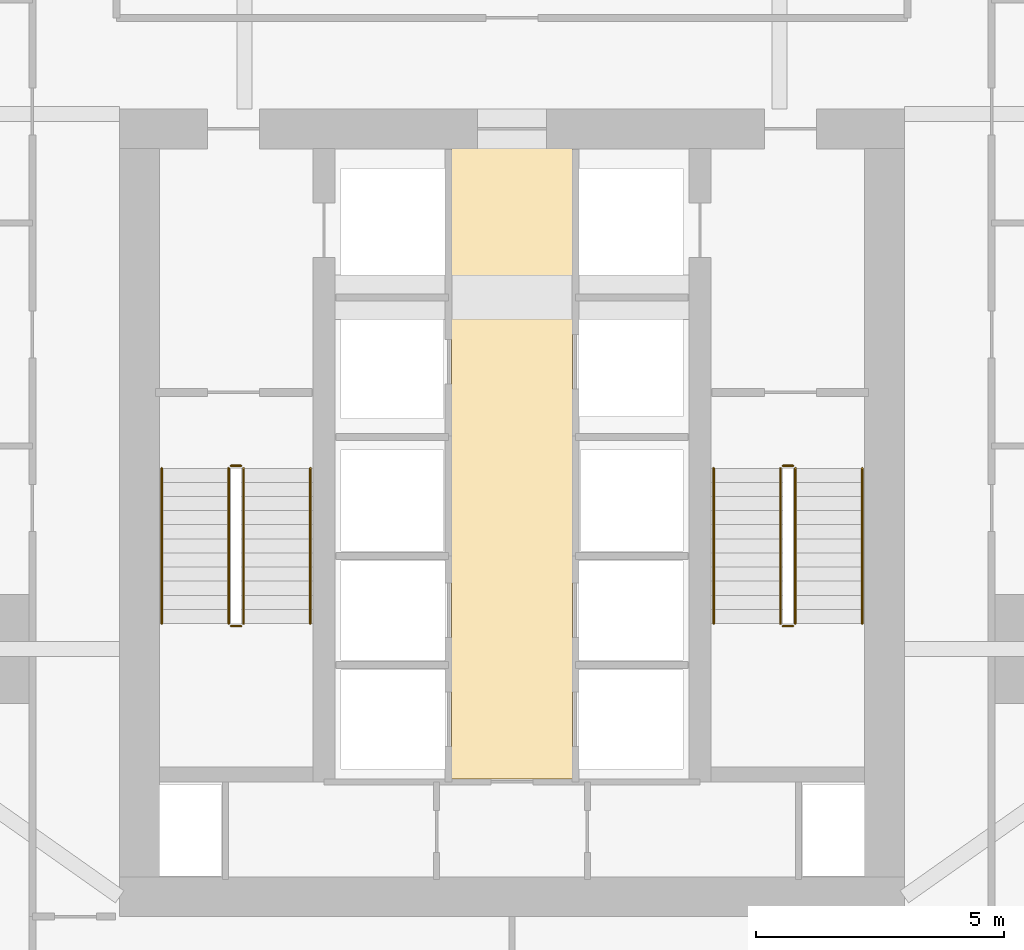
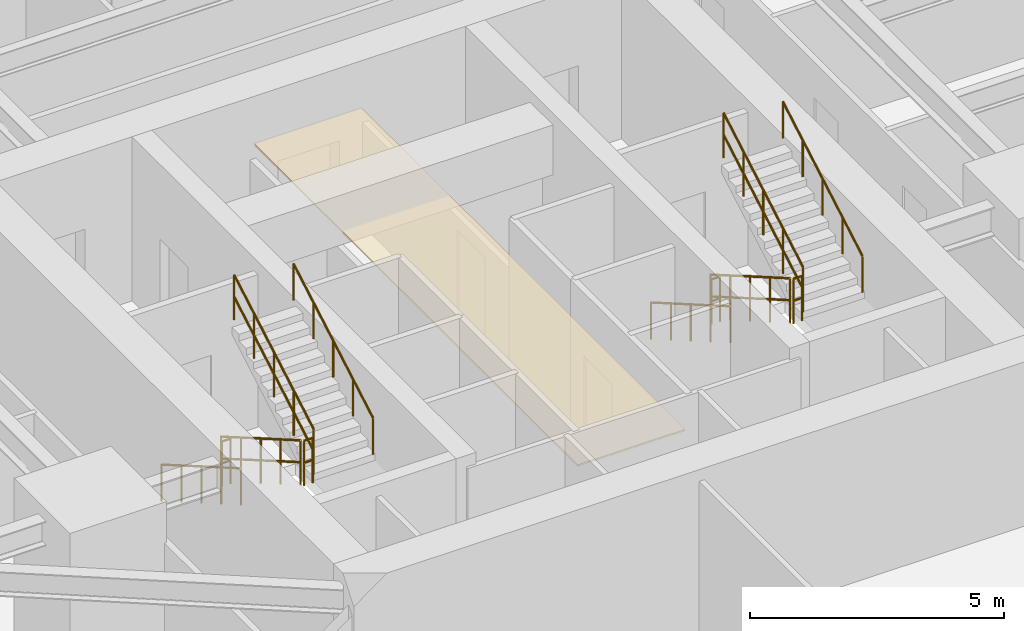
# One storey, part 28 of 29: 12 railings, 1 covering.
"""IFC4 building model written with IfcOpenShell, lengths in metres."""

from ifc_helpers import new_model, si_unit, direction, frame, origin, origin_2d, place, context, subcontext, project, spatial, polyline, circle, outline, extrude, material, layer, layer_set, type_object, element, save


model = new_model("IFC4")

# Units and contexts
model_context = context("Model", 3, precision=1e-05, world=origin(), true_north=direction((0.0, 1.0)))
body_context = subcontext(model_context, "Body", "Model", "MODEL_VIEW")
ifc_project = project(units=[si_unit("LENGTHUNIT", "METRE"), si_unit("AREAUNIT", "SQUARE_METRE"), si_unit("VOLUMEUNIT", "CUBIC_METRE"), si_unit("PLANEANGLEUNIT", "RADIAN"), si_unit("MASSUNIT", "GRAM", prefix="KILO")], contexts=[model_context])

# Site, building, storey
site_placement = place(None, origin())
site = spatial("IfcSite", under=ifc_project, at=site_placement, CompositionType="ELEMENT")
building_placement = place(site_placement, origin())
building = spatial("IfcBuilding", under=site, at=building_placement, Name="Krantzveldt Concourse Tower", CompositionType="ELEMENT")
storey_placement = place(building_placement, frame((0.0, 0.0, 72.39990234375)))
storey = spatial("IfcBuildingStorey", under=building, at=storey_placement, Name="L17", CompositionType="ELEMENT", Elevation=72.39990234375)

# Covering
ifc_material_1 = material(Name="Perforated acoustic mineral-fibre ceiling tile", Category="ceiling")
ifc_layer_1 = layer(ifc_material_1, 0.0400390625, Name="Perforated acoustic mineral-fibre ceiling tile", Category="ceiling")
ifc_layer_set_1 = layer_set([ifc_layer_1], Name="Perforated acoustic mineral-fibre ceiling tile (COV-CEIL-ACOUSTIC)")
covering_type = type_object("IfcCoveringType", Name="COV-CEIL-ACOUSTIC", PredefinedType="CEILING", material=ifc_layer_set_1)
covering_placement = place(storey_placement, frame((0.0, 0.0, 2.75)))
element("IfcCovering", 1, at=covering_placement, inside=storey, type_object=covering_type, Name="CLG-L17-LLB", PredefinedType="CEILING", context=body_context, shape_type="SweptSolid", body=[
    extrude(outline(polyline([(37.22509765625, 13.27490234375), (34.77490234375, 13.27490234375), (34.77490234375, 26.044921875), (37.22509765625, 26.044921875), (37.22509765625, 13.27490234375)])), origin(), (0.0, 0.0, 1.0), 0.0400390625),
])

# Railings
ifc_material_2 = material(Name="Stainless steel 316L", Category="steel")
ifc_layer_2 = layer(ifc_material_2, 0.06005859375, Name="Stainless steel 316L", Category="steel")
ifc_layer_set_2 = layer_set([ifc_layer_2], Name="Stainless steel 316L (RL-GUARD-1120)")
railing_type_1 = type_object("IfcRailingType", Name="RL-GUARD-1120", PredefinedType="GUARDRAIL", material=ifc_layer_set_2)
railing_1_placement = place(storey_placement, frame((30.280029296875, 19.550048828125, 0.164794921875)))
element("IfcRailing", 2, at=railing_1_placement, inside=storey, type_object=railing_type_1, Name="L17 ST-1 stair guard 1", PredefinedType="GUARDRAIL", context=body_context, shape_type="SweptSolid", body=[
    extrude(circle(Radius=0.02392578125, at=origin_2d()), frame((0.0, 0.0, 1.076171875), z_axis=(0.0, -0.865989039225, 0.500062979975), x_axis=(1.0, 0.0, 0.0)), (0.0, 0.0, 1.0), 3.6201171875),
    extrude(circle(Radius=0.02392578125, at=origin_2d()), frame((0.0, 0.0, 0.550048828125), z_axis=(0.0, -0.865989039225, 0.500062979975), x_axis=(1.0, 0.0, 0.0)), (0.0, 0.0, 1.0), 3.6201171875),
    extrude(circle(Radius=0.02099609375, at=origin_2d()), origin(), (0.0, 0.0, 1.0), 1.052001953125),
    extrude(circle(Radius=0.02099609375, at=origin_2d()), frame((0.0, -0.78369140625, 0.45263671875)), (0.0, 0.0, 1.0), 1.052001953125),
    extrude(circle(Radius=0.02099609375, at=origin_2d()), frame((0.0, -1.5673828125, 0.9052734375)), (0.0, 0.0, 1.0), 1.052001953125),
    extrude(circle(Radius=0.02099609375, at=origin_2d()), frame((0.0, -2.351318359375, 1.357666015625)), (0.0, 0.0, 1.0), 1.052001953125),
    extrude(circle(Radius=0.02099609375, at=origin_2d()), frame((0.0, -3.135009765625, 1.810302734375)), (0.0, 0.0, 1.0), 1.052001953125),
])
railing_2_placement = place(storey_placement, frame((30.330078125, 16.364990234375, 1.97509765625)))
element("IfcRailing", 3, at=railing_2_placement, inside=storey, type_object=railing_type_1, Name="L17 ST-1 stair guard 2", PredefinedType="GUARDRAIL", context=body_context, shape_type="SweptSolid", body=[
    extrude(circle(Radius=0.02392578125, at=origin_2d()), frame((0.0, 0.0, 1.076171875), z_axis=(1.0, 0.0, 0.0), x_axis=(0.0, 1.0, 0.0)), (0.0, 0.0, 1.0), 0.199951171875),
    extrude(circle(Radius=0.02392578125, at=origin_2d()), frame((0.0, 0.0, 0.550048828125), z_axis=(1.0, 0.0, 0.0), x_axis=(0.0, 1.0, 0.0)), (0.0, 0.0, 1.0), 0.199951171875),
    extrude(circle(Radius=0.02099609375, at=origin_2d()), origin(), (0.0, 0.0, 1.0), 1.052001953125),
    extrude(circle(Radius=0.02099609375, at=origin_2d()), frame((0.199951171875, 0.0, 0.0)), (0.0, 0.0, 1.0), 1.052001953125),
])
railing_3_placement = place(storey_placement, frame((30.580078125, 16.4150390625, 2.1396484375)))
element("IfcRailing", 4, at=railing_3_placement, inside=storey, type_object=railing_type_1, Name="L17 ST-1 stair guard 3", PredefinedType="GUARDRAIL", context=body_context, shape_type="SweptSolid", body=[
    extrude(circle(Radius=0.02392578125, at=origin_2d()), frame((0.0, 0.0, 1.076171875), z_axis=(0.0, 0.865959834175, 0.500113552702), x_axis=(-1.0, 0.0, 0.0)), (0.0, 0.0, 1.0), 3.620361328125),
    extrude(circle(Radius=0.02392578125, at=origin_2d()), frame((0.0, 0.0, 0.550048828125), z_axis=(0.0, 0.865959834175, 0.500113552702), x_axis=(-1.0, 0.0, 0.0)), (0.0, 0.0, 1.0), 3.620361328125),
    extrude(circle(Radius=0.02099609375, at=origin_2d()), origin(), (0.0, 0.0, 1.0), 1.052001953125),
    extrude(circle(Radius=0.02099609375, at=origin_2d()), frame((0.0, 0.78369140625, 0.45263671875)), (0.0, 0.0, 1.0), 1.052001953125),
    extrude(circle(Radius=0.02099609375, at=origin_2d()), frame((0.0, 1.5673828125, 0.9052734375)), (0.0, 0.0, 1.0), 1.052001953125),
    extrude(circle(Radius=0.02099609375, at=origin_2d()), frame((0.0, 2.351318359375, 1.35791015625)), (0.0, 0.0, 1.0), 1.052001953125),
    extrude(circle(Radius=0.02099609375, at=origin_2d()), frame((0.0, 3.135009765625, 1.810546875)), (0.0, 0.0, 1.0), 1.052001953125),
])
railing_4_placement = place(storey_placement, frame((30.330078125, 19.60009765625, 0.0)))
element("IfcRailing", 5, at=railing_4_placement, inside=storey, type_object=railing_type_1, Name="L17 ST-1 stair guard 4", PredefinedType="GUARDRAIL", context=body_context, shape_type="SweptSolid", body=[
    extrude(circle(Radius=0.02392578125, at=origin_2d()), frame((0.0, 0.0, 1.076171875), z_axis=(1.0, 0.0, 0.0), x_axis=(0.0, 1.0, 0.0)), (0.0, 0.0, 1.0), 0.199951171875),
    extrude(circle(Radius=0.02392578125, at=origin_2d()), frame((0.0, 0.0, 0.550048828125), z_axis=(1.0, 0.0, 0.0), x_axis=(0.0, 1.0, 0.0)), (0.0, 0.0, 1.0), 0.199951171875),
    extrude(circle(Radius=0.02099609375, at=origin_2d()), origin(), (0.0, 0.0, 1.0), 1.052001953125),
    extrude(circle(Radius=0.02099609375, at=origin_2d()), frame((0.199951171875, 0.0, 0.0)), (0.0, 0.0, 1.0), 1.052001953125),
])
railing_5_placement = place(storey_placement, frame((41.419921875, 19.550048828125, 0.164794921875)))
element("IfcRailing", 6, at=railing_5_placement, inside=storey, type_object=railing_type_1, Name="L17 ST-2 stair guard 1", PredefinedType="GUARDRAIL", context=body_context, shape_type="SweptSolid", body=[
    extrude(circle(Radius=0.02392578125, at=origin_2d()), frame((0.0, 0.0, 1.076171875), z_axis=(0.0, -0.865989039225, 0.500062979975), x_axis=(1.0, 0.0, 0.0)), (0.0, 0.0, 1.0), 3.6201171875),
    extrude(circle(Radius=0.02392578125, at=origin_2d()), frame((0.0, 0.0, 0.550048828125), z_axis=(0.0, -0.865989039225, 0.500062979975), x_axis=(1.0, 0.0, 0.0)), (0.0, 0.0, 1.0), 3.6201171875),
    extrude(circle(Radius=0.02099609375, at=origin_2d()), origin(), (0.0, 0.0, 1.0), 1.052001953125),
    extrude(circle(Radius=0.02099609375, at=origin_2d()), frame((0.0, -0.78369140625, 0.45263671875)), (0.0, 0.0, 1.0), 1.052001953125),
    extrude(circle(Radius=0.02099609375, at=origin_2d()), frame((0.0, -1.5673828125, 0.9052734375)), (0.0, 0.0, 1.0), 1.052001953125),
    extrude(circle(Radius=0.02099609375, at=origin_2d()), frame((0.0, -2.351318359375, 1.357666015625)), (0.0, 0.0, 1.0), 1.052001953125),
    extrude(circle(Radius=0.02099609375, at=origin_2d()), frame((0.0, -3.135009765625, 1.810302734375)), (0.0, 0.0, 1.0), 1.052001953125),
])
railing_6_placement = place(storey_placement, frame((41.469970703125, 16.364990234375, 1.97509765625)))
element("IfcRailing", 7, at=railing_6_placement, inside=storey, type_object=railing_type_1, Name="L17 ST-2 stair guard 2", PredefinedType="GUARDRAIL", context=body_context, shape_type="SweptSolid", body=[
    extrude(circle(Radius=0.02392578125, at=origin_2d()), frame((0.0, 0.0, 1.076171875), z_axis=(1.0, 0.0, 0.0), x_axis=(0.0, 1.0, 0.0)), (0.0, 0.0, 1.0), 0.199951171875),
    extrude(circle(Radius=0.02392578125, at=origin_2d()), frame((0.0, 0.0, 0.550048828125), z_axis=(1.0, 0.0, 0.0), x_axis=(0.0, 1.0, 0.0)), (0.0, 0.0, 1.0), 0.199951171875),
    extrude(circle(Radius=0.02099609375, at=origin_2d()), origin(), (0.0, 0.0, 1.0), 1.052001953125),
    extrude(circle(Radius=0.02099609375, at=origin_2d()), frame((0.199951171875, 0.0, 0.0)), (0.0, 0.0, 1.0), 1.052001953125),
])
railing_7_placement = place(storey_placement, frame((41.719970703125, 16.4150390625, 2.1396484375)))
element("IfcRailing", 8, at=railing_7_placement, inside=storey, type_object=railing_type_1, Name="L17 ST-2 stair guard 3", PredefinedType="GUARDRAIL", context=body_context, shape_type="SweptSolid", body=[
    extrude(circle(Radius=0.02392578125, at=origin_2d()), frame((0.0, 0.0, 1.076171875), z_axis=(0.0, 0.865959834175, 0.500113552702), x_axis=(-1.0, 0.0, 0.0)), (0.0, 0.0, 1.0), 3.620361328125),
    extrude(circle(Radius=0.02392578125, at=origin_2d()), frame((0.0, 0.0, 0.550048828125), z_axis=(0.0, 0.865959834175, 0.500113552702), x_axis=(-1.0, 0.0, 0.0)), (0.0, 0.0, 1.0), 3.620361328125),
    extrude(circle(Radius=0.02099609375, at=origin_2d()), origin(), (0.0, 0.0, 1.0), 1.052001953125),
    extrude(circle(Radius=0.02099609375, at=origin_2d()), frame((0.0, 0.78369140625, 0.45263671875)), (0.0, 0.0, 1.0), 1.052001953125),
    extrude(circle(Radius=0.02099609375, at=origin_2d()), frame((0.0, 1.5673828125, 0.9052734375)), (0.0, 0.0, 1.0), 1.052001953125),
    extrude(circle(Radius=0.02099609375, at=origin_2d()), frame((0.0, 2.351318359375, 1.35791015625)), (0.0, 0.0, 1.0), 1.052001953125),
    extrude(circle(Radius=0.02099609375, at=origin_2d()), frame((0.0, 3.135009765625, 1.810546875)), (0.0, 0.0, 1.0), 1.052001953125),
])
railing_8_placement = place(storey_placement, frame((41.469970703125, 19.60009765625, 0.0)))
element("IfcRailing", 9, at=railing_8_placement, inside=storey, type_object=railing_type_1, Name="L17 ST-2 stair guard 4", PredefinedType="GUARDRAIL", context=body_context, shape_type="SweptSolid", body=[
    extrude(circle(Radius=0.02392578125, at=origin_2d()), frame((0.0, 0.0, 1.076171875), z_axis=(1.0, 0.0, 0.0), x_axis=(0.0, 1.0, 0.0)), (0.0, 0.0, 1.0), 0.199951171875),
    extrude(circle(Radius=0.02392578125, at=origin_2d()), frame((0.0, 0.0, 0.550048828125), z_axis=(1.0, 0.0, 0.0), x_axis=(0.0, 1.0, 0.0)), (0.0, 0.0, 1.0), 0.199951171875),
    extrude(circle(Radius=0.02099609375, at=origin_2d()), origin(), (0.0, 0.0, 1.0), 1.052001953125),
    extrude(circle(Radius=0.02099609375, at=origin_2d()), frame((0.199951171875, 0.0, 0.0)), (0.0, 0.0, 1.0), 1.052001953125),
])
ifc_layer_3 = layer(ifc_material_2, 0.050048828125, Name="Stainless steel 316L", Category="steel")
ifc_layer_set_3 = layer_set([ifc_layer_3], Name="Stainless steel 316L (RL-HANDRAIL-920)")
railing_type_2 = type_object("IfcRailingType", Name="RL-HANDRAIL-920", PredefinedType="HANDRAIL", material=ifc_layer_set_3)
railing_9_placement = place(storey_placement, frame((28.929931640625, 19.550048828125, 0.164794921875)))
element("IfcRailing", 10, at=railing_9_placement, inside=storey, type_object=railing_type_2, Name="L17 ST-1 stair handrail 1", PredefinedType="HANDRAIL", context=body_context, shape_type="SweptSolid", body=[
    extrude(circle(Radius=0.02392578125, at=origin_2d()), frame((0.0, 0.0, 0.8759765625), z_axis=(0.0, -0.865989039225, 0.500062979975), x_axis=(1.0, 0.0, 0.0)), (0.0, 0.0, 1.0), 3.6201171875),
    extrude(circle(Radius=0.02099609375, at=origin_2d()), origin(), (0.0, 0.0, 1.0), 0.851806640625),
    extrude(circle(Radius=0.02099609375, at=origin_2d()), frame((0.0, -0.78369140625, 0.45263671875)), (0.0, 0.0, 1.0), 0.851806640625),
    extrude(circle(Radius=0.02099609375, at=origin_2d()), frame((0.0, -1.5673828125, 0.9052734375)), (0.0, 0.0, 1.0), 0.851806640625),
    extrude(circle(Radius=0.02099609375, at=origin_2d()), frame((0.0, -2.351318359375, 1.357666015625)), (0.0, 0.0, 1.0), 0.851806640625),
    extrude(circle(Radius=0.02099609375, at=origin_2d()), frame((0.0, -3.135009765625, 1.810302734375)), (0.0, 0.0, 1.0), 0.851806640625),
])
railing_10_placement = place(storey_placement, frame((31.929931640625, 16.4150390625, 2.1396484375)))
element("IfcRailing", 11, at=railing_10_placement, inside=storey, type_object=railing_type_2, Name="L17 ST-1 stair handrail 2", PredefinedType="HANDRAIL", context=body_context, shape_type="SweptSolid", body=[
    extrude(circle(Radius=0.02392578125, at=origin_2d()), frame((0.0, 0.0, 0.8759765625), z_axis=(0.0, 0.865959834175, 0.500113552702), x_axis=(-1.0, 0.0, 0.0)), (0.0, 0.0, 1.0), 3.620361328125),
    extrude(circle(Radius=0.02099609375, at=origin_2d()), origin(), (0.0, 0.0, 1.0), 0.851806640625),
    extrude(circle(Radius=0.02099609375, at=origin_2d()), frame((0.0, 0.78369140625, 0.45263671875)), (0.0, 0.0, 1.0), 0.851806640625),
    extrude(circle(Radius=0.02099609375, at=origin_2d()), frame((0.0, 1.5673828125, 0.9052734375)), (0.0, 0.0, 1.0), 0.851806640625),
    extrude(circle(Radius=0.02099609375, at=origin_2d()), frame((0.0, 2.351318359375, 1.35791015625)), (0.0, 0.0, 1.0), 0.851806640625),
    extrude(circle(Radius=0.02099609375, at=origin_2d()), frame((0.0, 3.135009765625, 1.810546875)), (0.0, 0.0, 1.0), 0.851806640625),
])
railing_11_placement = place(storey_placement, frame((40.070068359375, 19.550048828125, 0.164794921875)))
element("IfcRailing", 12, at=railing_11_placement, inside=storey, type_object=railing_type_2, Name="L17 ST-2 stair handrail 1", PredefinedType="HANDRAIL", context=body_context, shape_type="SweptSolid", body=[
    extrude(circle(Radius=0.02392578125, at=origin_2d()), frame((0.0, 0.0, 0.8759765625), z_axis=(0.0, -0.865989039225, 0.500062979975), x_axis=(1.0, 0.0, 0.0)), (0.0, 0.0, 1.0), 3.6201171875),
    extrude(circle(Radius=0.02099609375, at=origin_2d()), origin(), (0.0, 0.0, 1.0), 0.851806640625),
    extrude(circle(Radius=0.02099609375, at=origin_2d()), frame((0.0, -0.78369140625, 0.45263671875)), (0.0, 0.0, 1.0), 0.851806640625),
    extrude(circle(Radius=0.02099609375, at=origin_2d()), frame((0.0, -1.5673828125, 0.9052734375)), (0.0, 0.0, 1.0), 0.851806640625),
    extrude(circle(Radius=0.02099609375, at=origin_2d()), frame((0.0, -2.351318359375, 1.357666015625)), (0.0, 0.0, 1.0), 0.851806640625),
    extrude(circle(Radius=0.02099609375, at=origin_2d()), frame((0.0, -3.135009765625, 1.810302734375)), (0.0, 0.0, 1.0), 0.851806640625),
])
railing_12_placement = place(storey_placement, frame((43.070068359375, 16.4150390625, 2.1396484375)))
element("IfcRailing", 13, at=railing_12_placement, inside=storey, type_object=railing_type_2, Name="L17 ST-2 stair handrail 2", PredefinedType="HANDRAIL", context=body_context, shape_type="SweptSolid", body=[
    extrude(circle(Radius=0.02392578125, at=origin_2d()), frame((0.0, 0.0, 0.8759765625), z_axis=(0.0, 0.865959834175, 0.500113552702), x_axis=(-1.0, 0.0, 0.0)), (0.0, 0.0, 1.0), 3.620361328125),
    extrude(circle(Radius=0.02099609375, at=origin_2d()), origin(), (0.0, 0.0, 1.0), 0.851806640625),
    extrude(circle(Radius=0.02099609375, at=origin_2d()), frame((0.0, 0.78369140625, 0.45263671875)), (0.0, 0.0, 1.0), 0.851806640625),
    extrude(circle(Radius=0.02099609375, at=origin_2d()), frame((0.0, 1.5673828125, 0.9052734375)), (0.0, 0.0, 1.0), 0.851806640625),
    extrude(circle(Radius=0.02099609375, at=origin_2d()), frame((0.0, 2.351318359375, 1.35791015625)), (0.0, 0.0, 1.0), 0.851806640625),
    extrude(circle(Radius=0.02099609375, at=origin_2d()), frame((0.0, 3.135009765625, 1.810546875)), (0.0, 0.0, 1.0), 0.851806640625),
])

save(model, "model.ifc")
